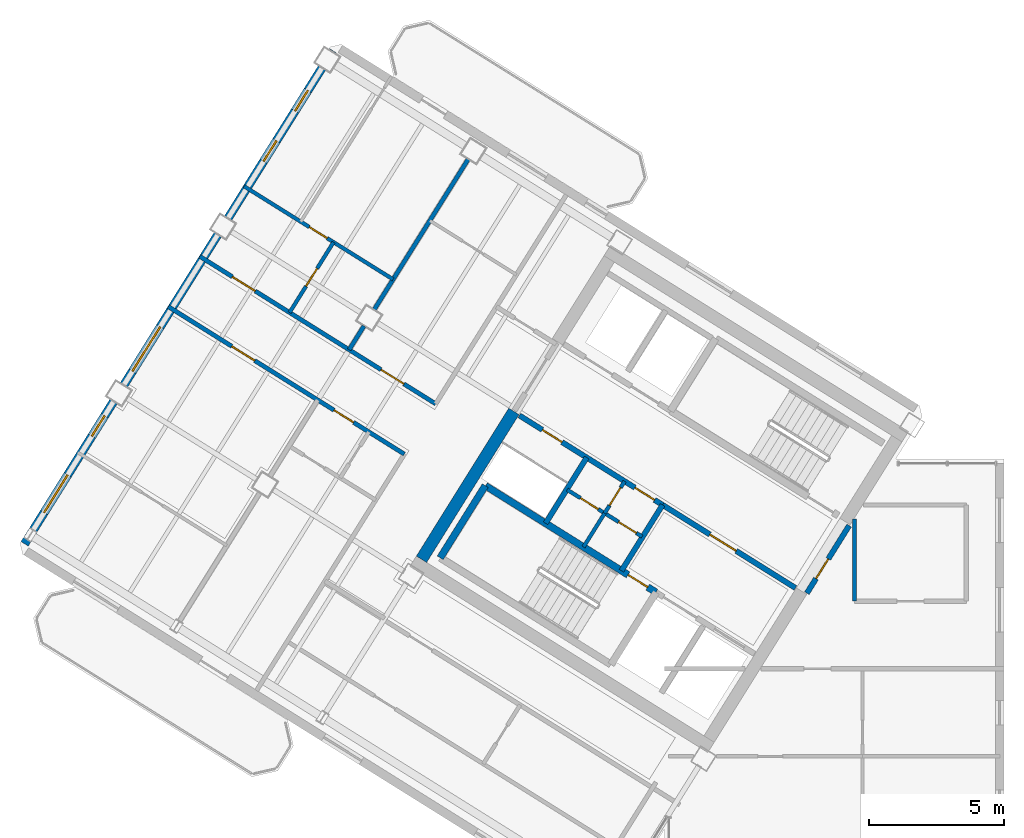
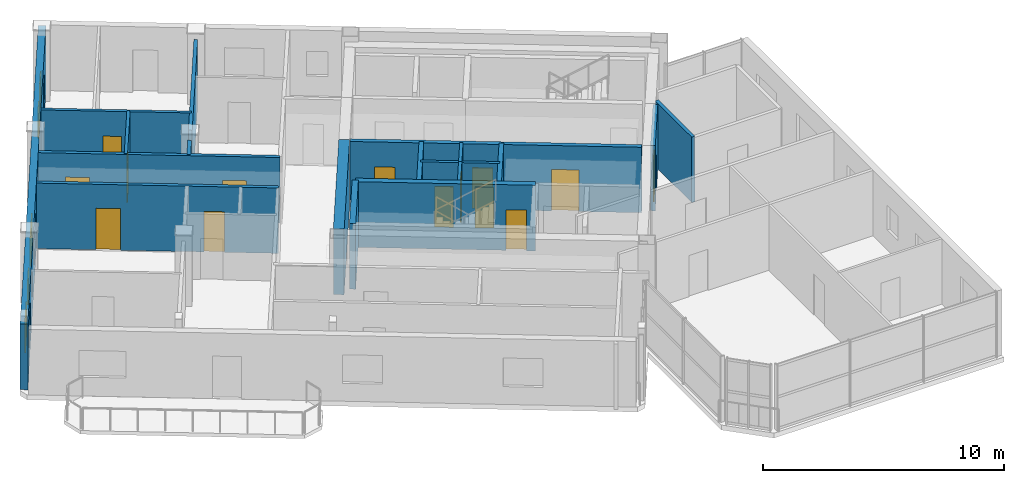
# One storey, part 8 of 13: 19 walls, 14 doors, 5 windows, 19 openings.
"""IFC4 building model written with IfcOpenShell, lengths in metres."""

from ifc_helpers import new_model, si_unit, direction, frame, frame_2d, origin, place, context, subcontext, project, spatial, rectangle, extrude, source, transform, mapped, material, layer, layer_set, type_object, element, fill, save


model = new_model("IFC4")

# Units and contexts
model_context = context("Model", 3, precision=1e-05, world=origin(), true_north=direction((0.0, 1.0)))
body_context = subcontext(model_context, "Body", "Model", "MODEL_VIEW")
ifc_project = project(units=[si_unit("LENGTHUNIT", "METRE"), si_unit("AREAUNIT", "SQUARE_METRE"), si_unit("VOLUMEUNIT", "CUBIC_METRE"), si_unit("PLANEANGLEUNIT", "RADIAN"), si_unit("MASSUNIT", "GRAM", prefix="KILO")], contexts=[model_context])

# Site, building, storey
site_placement = place(None, origin())
site = spatial("IfcSite", under=ifc_project, at=site_placement, CompositionType="ELEMENT")
building_placement = place(site_placement, origin())
building = spatial("IfcBuilding", under=site, at=building_placement, Name="Tlacorven Tower", CompositionType="ELEMENT")
storey_placement = place(building_placement, frame((0.0, 0.0, 295.199951171875)))
storey = spatial("IfcBuildingStorey", under=building, at=storey_placement, Name="L75", CompositionType="ELEMENT", Elevation=295.199951171875)

# Wall
ifc_material_1 = material(Name="Concrete C50/60", Category="concrete")
ifc_layer_1 = layer(ifc_material_1, 0.449951171875)
ifc_layer_set_1 = layer_set([ifc_layer_1], Name="Concrete C50/60")
wall_type_1 = type_object("IfcWallType", Name="WL-COR-450", PredefinedType="SHEAR", material=ifc_layer_set_1)
wall_1_placement = place(storey_placement, frame((26.006591796875, 24.975830078125, 0.0), z_axis=(0.0, 0.0, 1.0), x_axis=(-0.529931155655, -0.848040665456, 0.0)))
element("IfcWall", 1, at=wall_1_placement, inside=storey, type_object=wall_type_1, Name="L75 W core end wall E2.2", PredefinedType="SHEAR", context=body_context, shape_type="SweptSolid", body=[
    extrude(rectangle(XDim=6.47509765625, YDim=0.449951171875, at=frame_2d((3.237548828125, 0.0))), origin(), (0.0, 0.0, 1.0), 3.320068359375),
])

# Wall, openings, doors
ifc_material_2 = material(Name="Gypsum plasterboard acoustic partition", Category="gypsum")
ifc_layer_2 = layer(ifc_material_2, 0.159912109375)
ifc_layer_set_2 = layer_set([ifc_layer_2], Name="Gypsum plasterboard acoustic partition")
wall_type_2 = type_object("IfcWallType", Name="WL-DEM-160", PredefinedType="PARTITIONING", material=ifc_layer_set_2)
wall_2_placement = place(storey_placement, frame((23.104248046875, 25.25634765625, 0.0), z_axis=(0.0, 0.0, 1.0), x_axis=(-0.848043444964, 0.529926707624, 0.0)))
wall_2 = element("IfcWall", 2, at=wall_2_placement, inside=storey, type_object=wall_type_2, Name="L75 Wing W Corridor South Wall", PredefinedType="PARTITIONING", context=body_context, shape_type="SweptSolid", body=[
    extrude(rectangle(XDim=10.330078125, YDim=0.159912109375, at=frame_2d((5.1650390625, 0.0))), origin(), (0.0, 0.0, 1.0), 3.31005859375),
])
opening_1_placement = place(wall_2_placement, frame((1.39501953125, 0.0, 0.0)))
opening_1 = element("IfcOpeningElement", 3, at=opening_1_placement, cuts=wall_2, Name="Opening D11", PredefinedType="OPENING", context=body_context, shape_type="SweptSolid", body=[
    extrude(rectangle(XDim=1.0, YDim=2.10009765625, at=frame_2d((0.5, 1.050048828125))), frame((0.0, 0.08984375, 0.0), z_axis=(0.0, -1.0, 0.0), x_axis=(1.0, 0.0, 0.0)), (0.0, 0.0, 1.0), 0.179931640625),
])
opening_2_placement = place(wall_2_placement, frame((7.904052734375, 0.0, 0.0)))
opening_2 = element("IfcOpeningElement", 4, at=opening_2_placement, cuts=wall_2, Name="Opening D11", PredefinedType="OPENING", context=body_context, shape_type="SweptSolid", body=[
    extrude(rectangle(XDim=1.0, YDim=2.10009765625, at=frame_2d((0.5, 1.050048828125))), frame((0.0, 0.08984375, 0.0), z_axis=(0.0, -1.0, 0.0), x_axis=(1.0, 0.0, 0.0)), (0.0, 0.0, 1.0), 0.179931640625),
])
ifc_material_3 = material(Name="Fire-rated steel door assembly", Category="steel")
door_type_1 = type_object("IfcDoorType", Name="DR-FLT-FD60-1000", OperationType="NOTDEFINED", PredefinedType="DOOR", material=ifc_material_3)
shared_shape_1 = source(origin(), body_context, "Body", "SweptSolid", [
    extrude(rectangle(XDim=1.0, YDim=2.10009765625, at=frame_2d((0.5, 1.050048828125))), frame((0.0, 0.02490234375, 0.0), z_axis=(0.0, -1.0, 0.0), x_axis=(1.0, 0.0, 0.0)), (0.0, 0.0, 1.0), 0.050048828125),
])
door_1_placement = place(opening_1_placement, origin())
door_1 = element("IfcDoor", 5, at=door_1_placement, inside=storey, type_object=door_type_1, Name="L75 door 020", OperationType="SINGLE_SWING_LEFT", OverallHeight=2.10009765625, OverallWidth=1.0, PredefinedType="DOOR", context=body_context, shape_type="MappedRepresentation", body=[
    mapped(shared_shape_1, transform((0.0, 0.0, 0.0), scale=1.0)),
])
fill(opening_1, door_1)
door_2_placement = place(opening_2_placement, origin())
door_2 = element("IfcDoor", 6, at=door_2_placement, inside=storey, type_object=door_type_1, Name="L75 door 023", OperationType="SINGLE_SWING_RIGHT", OverallHeight=2.10009765625, OverallWidth=1.0, PredefinedType="DOOR", context=body_context, shape_type="MappedRepresentation", body=[
    mapped(shared_shape_1, transform((0.0, 0.0, 0.0), scale=1.0)),
])
fill(opening_2, door_2)

wall_3_placement = place(storey_placement, frame((21.9384765625, 23.390625, 0.0), z_axis=(0.0, 0.0, 1.0), x_axis=(-0.848050081784, 0.529916086552, 0.0)))
wall_3 = element("IfcWall", 7, at=wall_3_placement, inside=storey, type_object=wall_type_2, Name="L75 Wing W Corridor North Wall", PredefinedType="PARTITIONING", context=body_context, shape_type="SweptSolid", body=[
    extrude(rectangle(XDim=10.330078125, YDim=0.159912109375, at=frame_2d((5.1650390625, 0.0))), origin(), (0.0, 0.0, 1.0), 3.31005859375),
])
opening_3_placement = place(wall_3_placement, frame((2.219970703125, 0.0, 0.0)))
opening_3 = element("IfcOpeningElement", 8, at=opening_3_placement, cuts=wall_3, Name="Opening D19", PredefinedType="OPENING", context=body_context, shape_type="SweptSolid", body=[
    extrude(rectangle(XDim=0.860107421875, YDim=2.050048828125, at=frame_2d((0.43017578125, 1.02490234375))), frame((0.0, 0.08984375, 0.0), z_axis=(0.0, -1.0, 0.0), x_axis=(1.0, 0.0, 0.0)), (0.0, 0.0, 1.0), 0.179931640625),
])
opening_4_placement = place(wall_3_placement, frame((6.550048828125, 0.0, 0.0)))
opening_4 = element("IfcOpeningElement", 9, at=opening_4_placement, cuts=wall_3, Name="Opening D11", PredefinedType="OPENING", context=body_context, shape_type="SweptSolid", body=[
    extrude(rectangle(XDim=1.0, YDim=2.10009765625, at=frame_2d((0.5, 1.050048828125))), frame((0.0, 0.08984375, 0.0), z_axis=(0.0, -1.0, 0.0), x_axis=(1.0, 0.0, 0.0)), (0.0, 0.0, 1.0), 0.179931640625),
])
door_type_2 = type_object("IfcDoorType", Name="DR-RSR-FD60-0860", OperationType="NOTDEFINED", PredefinedType="DOOR", material=ifc_material_3)
shared_shape_2 = source(origin(), body_context, "Body", "SweptSolid", [
    extrude(rectangle(XDim=0.860107421875, YDim=2.050048828125, at=frame_2d((0.43017578125, 1.02490234375))), frame((0.0, 0.02490234375, 0.0), z_axis=(0.0, -1.0, 0.0), x_axis=(1.0, 0.0, 0.0)), (0.0, 0.0, 1.0), 0.050048828125),
])
door_3_placement = place(opening_3_placement, origin())
door_3 = element("IfcDoor", 10, at=door_3_placement, inside=storey, type_object=door_type_2, Name="L75 door 015", OperationType="SINGLE_SWING_RIGHT", OverallHeight=2.050048828125, OverallWidth=0.860107421875, PredefinedType="DOOR", context=body_context, shape_type="MappedRepresentation", body=[
    mapped(shared_shape_2, transform((0.0, 0.0, 0.0), scale=1.0)),
])
fill(opening_3, door_3)
door_4_placement = place(opening_4_placement, origin())
door_4 = element("IfcDoor", 11, at=door_4_placement, inside=storey, type_object=door_type_1, Name="L75 door 018", OperationType="SINGLE_SWING_LEFT", OverallHeight=2.10009765625, OverallWidth=1.0, PredefinedType="DOOR", context=body_context, shape_type="MappedRepresentation", body=[
    mapped(shared_shape_1, transform((0.0, 0.0, 0.0), scale=1.0)),
])
fill(opening_4, door_4)

# Walls
wall_4_placement = place(storey_placement, frame((24.30859375, 34.3359375, 0.0), z_axis=(0.0, 0.0, 1.0), x_axis=(-0.529895484599, -0.848062954858, 0.0)))
element("IfcWall", 12, at=wall_4_placement, inside=storey, type_object=wall_type_2, Name="L75 WS Demising Wall 1", PredefinedType="PARTITIONING", context=body_context, shape_type="SweptSolid", body=[
    extrude(rectangle(XDim=6.576171875, YDim=0.159912109375, at=frame_2d((3.2880859375, 0.0))), origin(), (0.0, 0.0, 1.0), 3.31005859375),
])
wall_5_placement = place(storey_placement, frame((20.440185546875, 28.14501953125, 0.0), z_axis=(0.0, 0.0, 1.0), x_axis=(-0.529977795385, -0.848011519025, 0.0)))
element("IfcWall", 13, at=wall_5_placement, inside=storey, type_object=wall_type_2, Name="L75 WS Demising Wall 1", PredefinedType="PARTITIONING", context=body_context, shape_type="SweptSolid", body=[
    extrude(rectangle(XDim=1.037841796875, YDim=0.159912109375, at=frame_2d((0.51904296875, 0.0))), origin(), (0.0, 0.0, 1.0), 3.31005859375),
])
wall_6_placement = place(storey_placement, frame((38.64990234375, 17.929931640625, 0.0), z_axis=(0.0, 0.0, 1.0), x_axis=(0.0, 1.0, 0.0)))
element("IfcWall", 14, at=wall_6_placement, inside=storey, type_object=wall_type_2, Name="L75 partition 45", PredefinedType="PARTITIONING", context=body_context, shape_type="SweptSolid", body=[
    extrude(rectangle(XDim=3.045654296875, YDim=0.159912109375, at=frame_2d((1.52294921875, 0.0))), origin(), (0.0, 0.0, 1.0), 3.31005859375),
])

# Wall, openings, windows
ifc_material_4 = material(Name="Precast concrete C45/55", Category="concrete")
ifc_layer_3 = layer(ifc_material_4, 0.320068359375)
ifc_layer_set_3 = layer_set([ifc_layer_3], Name="Precast concrete C45/55")
wall_type_3 = type_object("IfcWallType", Name="WL-EXT-320", PredefinedType="STANDARD", material=ifc_layer_set_3)
wall_7_placement = place(storey_placement, frame((7.842041015625, 20.06103515625, 0.0), z_axis=(0.0, 0.0, 1.0), x_axis=(0.529915577903, 0.84805039962, 0.0)))
wall_7 = element("IfcWall", 15, at=wall_7_placement, inside=storey, type_object=wall_type_3, Name="L75 Masonry-Frame Recessed Facade Wall 3", PredefinedType="STANDARD", context=body_context, shape_type="SweptSolid", body=[
    extrude(rectangle(XDim=21.58740234375, YDim=0.320068359375, at=frame_2d((10.793701171875, 0.0))), origin(), (0.0, 0.0, 1.0), 3.320068359375),
])
opening_5_placement = place(wall_7_placement, frame((1.36767578125, 0.0, 0.89990234375)))
opening_5 = element("IfcOpeningElement", 16, at=opening_5_placement, cuts=wall_7, Name="Opening WN07", PredefinedType="OPENING", context=body_context, shape_type="SweptSolid", body=[
    extrude(rectangle(XDim=1.64990234375, YDim=1.449951171875, at=frame_2d((0.824951171875, 0.72509765625))), frame((0.0, 0.169921875, 0.0), z_axis=(0.0, -1.0, 0.0), x_axis=(1.0, 0.0, 0.0)), (0.0, 0.0, 1.0), 0.340087890625),
])
opening_6_placement = place(wall_7_placement, frame((4.710205078125, 0.0, 1.0)))
opening_6 = element("IfcOpeningElement", 17, at=opening_6_placement, cuts=wall_7, Name="Opening WN05", PredefinedType="OPENING", context=body_context, shape_type="SweptSolid", body=[
    extrude(rectangle(XDim=0.89990234375, YDim=1.25, at=frame_2d((0.449951171875, 0.625))), frame((0.0, 0.169921875, 0.0), z_axis=(0.0, -1.0, 0.0), x_axis=(1.0, 0.0, 0.0)), (0.0, 0.0, 1.0), 0.340087890625),
])
opening_7_placement = place(wall_7_placement, frame((7.5537109375, 0.0, 0.949951171875)))
opening_7 = element("IfcOpeningElement", 18, at=opening_7_placement, cuts=wall_7, Name="Opening WN09", PredefinedType="OPENING", context=body_context, shape_type="SweptSolid", body=[
    extrude(rectangle(XDim=1.949951171875, YDim=1.35009765625, at=frame_2d((0.97509765625, 0.675048828125))), frame((0.0, 0.169921875, 0.0), z_axis=(0.0, -1.0, 0.0), x_axis=(1.0, 0.0, 0.0)), (0.0, 0.0, 1.0), 0.340087890625),
])
opening_8_placement = place(wall_7_placement, frame((16.74365234375, 0.0, 1.0)))
opening_8 = element("IfcOpeningElement", 19, at=opening_8_placement, cuts=wall_7, Name="Opening WN05", PredefinedType="OPENING", context=body_context, shape_type="SweptSolid", body=[
    extrude(rectangle(XDim=0.89990234375, YDim=1.25, at=frame_2d((0.449951171875, 0.625))), frame((0.0, 0.169921875, 0.0), z_axis=(0.0, -1.0, 0.0), x_axis=(1.0, 0.0, 0.0)), (0.0, 0.0, 1.0), 0.340087890625),
])
opening_9_placement = place(wall_7_placement, frame((18.943603515625, 0.0, 1.0)))
opening_9 = element("IfcOpeningElement", 20, at=opening_9_placement, cuts=wall_7, Name="Opening WN05", PredefinedType="OPENING", context=body_context, shape_type="SweptSolid", body=[
    extrude(rectangle(XDim=0.89990234375, YDim=1.25, at=frame_2d((0.449951171875, 0.625))), frame((0.0, 0.169921875, 0.0), z_axis=(0.0, -1.0, 0.0), x_axis=(1.0, 0.0, 0.0)), (0.0, 0.0, 1.0), 0.340087890625),
])
ifc_material_5 = material(Name="Dark solar low-E double glazing in anodised aluminium frame", Category="aluminium")
window_type_1 = type_object("IfcWindowType", Name="WN-APT-0900X1350", PartitioningType="SINGLE_PANEL", PredefinedType="WINDOW", material=ifc_material_5)
shared_shape_3 = source(origin(), body_context, "Body", "SweptSolid", [
    extrude(rectangle(XDim=0.89990234375, YDim=1.25, at=frame_2d((0.449951171875, 0.625))), frame((0.0, 0.030029296875, 0.0), z_axis=(0.0, -1.0, 0.0), x_axis=(1.0, 0.0, 0.0)), (0.0, 0.0, 1.0), 0.06005859375),
])
window_1_placement = place(opening_6_placement, origin())
window_1 = element("IfcWindow", 21, at=window_1_placement, inside=storey, type_object=window_type_1, Name="L75 Recessed Masonry-Frame Window L75-03.2", OverallHeight=1.25, OverallWidth=0.89990234375, PartitioningType="SINGLE_PANEL", PredefinedType="WINDOW", context=body_context, shape_type="MappedRepresentation", body=[
    mapped(shared_shape_3, transform((0.0, 0.0, 0.0), scale=1.0)),
])
fill(opening_6, window_1)
window_2_placement = place(opening_8_placement, origin())
window_2 = element("IfcWindow", 22, at=window_2_placement, inside=storey, type_object=window_type_1, Name="L75 Recessed Masonry-Frame Window L75-03.4", OverallHeight=1.25, OverallWidth=0.89990234375, PartitioningType="SINGLE_PANEL", PredefinedType="WINDOW", context=body_context, shape_type="MappedRepresentation", body=[
    mapped(shared_shape_3, transform((0.0, 0.0, 0.0), scale=1.0)),
])
fill(opening_8, window_2)
window_3_placement = place(opening_9_placement, origin())
window_3 = element("IfcWindow", 23, at=window_3_placement, inside=storey, type_object=window_type_1, Name="L75 Recessed Masonry-Frame Window L75-03.5", OverallHeight=1.25, OverallWidth=0.89990234375, PartitioningType="SINGLE_PANEL", PredefinedType="WINDOW", context=body_context, shape_type="MappedRepresentation", body=[
    mapped(shared_shape_3, transform((0.0, 0.0, 0.0), scale=1.0)),
])
fill(opening_9, window_3)
window_type_2 = type_object("IfcWindowType", Name="WN-APT-1650X1600", PartitioningType="SINGLE_PANEL", PredefinedType="WINDOW", material=ifc_material_5)
shared_shape_4 = source(origin(), body_context, "Body", "SweptSolid", [
    extrude(rectangle(XDim=1.64990234375, YDim=1.449951171875, at=frame_2d((0.824951171875, 0.72509765625))), frame((0.0, 0.030029296875, 0.0), z_axis=(0.0, -1.0, 0.0), x_axis=(1.0, 0.0, 0.0)), (0.0, 0.0, 1.0), 0.06005859375),
])
window_4_placement = place(opening_5_placement, origin())
window_4 = element("IfcWindow", 24, at=window_4_placement, inside=storey, type_object=window_type_2, Name="L75 Recessed Masonry-Frame Window L75-03.1", OverallHeight=1.449951171875, OverallWidth=1.64990234375, PartitioningType="SINGLE_PANEL", PredefinedType="WINDOW", context=body_context, shape_type="MappedRepresentation", body=[
    mapped(shared_shape_4, transform((0.0, 0.0, 0.0), scale=1.0)),
])
fill(opening_5, window_4)
window_type_3 = type_object("IfcWindowType", Name="WN-GAL-1950X1450", PartitioningType="SINGLE_PANEL", PredefinedType="WINDOW", material=ifc_material_5)
shared_shape_5 = source(origin(), body_context, "Body", "SweptSolid", [
    extrude(rectangle(XDim=1.949951171875, YDim=1.35009765625, at=frame_2d((0.97509765625, 0.675048828125))), frame((0.0, 0.030029296875, 0.0), z_axis=(0.0, -1.0, 0.0), x_axis=(1.0, 0.0, 0.0)), (0.0, 0.0, 1.0), 0.06005859375),
])
window_5_placement = place(opening_7_placement, origin())
window_5 = element("IfcWindow", 25, at=window_5_placement, inside=storey, type_object=window_type_3, Name="L75 Recessed Masonry-Frame Window L75-03.3", OverallHeight=1.35009765625, OverallWidth=1.949951171875, PartitioningType="SINGLE_PANEL", PredefinedType="WINDOW", context=body_context, shape_type="MappedRepresentation", body=[
    mapped(shared_shape_5, transform((0.0, 0.0, 0.0), scale=1.0)),
])
fill(opening_7, window_5)

# Wall, opening, door
ifc_material_6 = material(Name="Moisture-resistant gypsum plumbing wall", Category="gypsum")
ifc_layer_4 = layer(ifc_material_6, 0.139892578125)
ifc_layer_set_4 = layer_set([ifc_layer_4], Name="Moisture-resistant gypsum plumbing wall")
wall_type_4 = type_object("IfcWallType", Name="WL-PLM-140", PredefinedType="PLUMBINGWALL", material=ifc_layer_set_4)
wall_8_placement = place(storey_placement, frame((30.117431640625, 22.383544921875, 0.0), z_axis=(0.0, 0.0, 1.0), x_axis=(-0.529951914384, -0.848027693204, 0.0)))
wall_8 = element("IfcWall", 26, at=wall_8_placement, inside=storey, type_object=wall_type_4, Name="L75 partition 18", PredefinedType="PLUMBINGWALL", context=body_context, shape_type="SweptSolid", body=[
    extrude(rectangle(XDim=1.39990234375, YDim=0.139892578125, at=frame_2d((0.699951171875, 0.0))), origin(), (0.0, 0.0, 1.0), 3.31005859375),
])
opening_10_placement = place(wall_8_placement, frame((0.280029296875, 0.0, 0.0)))
opening_10 = element("IfcOpeningElement", 27, at=opening_10_placement, cuts=wall_8, Name="Opening D22", PredefinedType="OPENING", context=body_context, shape_type="SweptSolid", body=[
    extrude(rectangle(XDim=0.780029296875, YDim=2.050048828125, at=frame_2d((0.39013671875, 1.02490234375))), frame((0.0, 0.080078125, 0.0), z_axis=(0.0, -1.0, 0.0), x_axis=(1.0, 0.0, 0.0)), (0.0, 0.0, 1.0), 0.159912109375),
])
ifc_material_7 = material(Name="Powder-coated aluminium and timber door", Category="wood")
door_type_3 = type_object("IfcDoorType", Name="DR-INT-WET-0780", OperationType="NOTDEFINED", PredefinedType="DOOR", material=ifc_material_7)
shared_shape_6 = source(origin(), body_context, "Body", "SweptSolid", [
    extrude(rectangle(XDim=0.780029296875, YDim=2.050048828125, at=frame_2d((0.39013671875, 1.02490234375))), frame((0.0, 0.02490234375, 0.0), z_axis=(0.0, -1.0, 0.0), x_axis=(1.0, 0.0, 0.0)), (0.0, 0.0, 1.0), 0.050048828125),
])
door_5_placement = place(opening_10_placement, origin())
door_5 = element("IfcDoor", 28, at=door_5_placement, inside=storey, type_object=door_type_3, Name="L75 door 010", OperationType="SINGLE_SWING_RIGHT", OverallHeight=2.050048828125, OverallWidth=0.780029296875, PredefinedType="DOOR", context=body_context, shape_type="MappedRepresentation", body=[
    mapped(shared_shape_6, transform((0.0, 0.0, 0.0), scale=1.0)),
])
fill(opening_10, door_5)

# Wall
wall_9_placement = place(storey_placement, frame((29.37548828125, 21.1962890625, 0.0), z_axis=(0.0, 0.0, 1.0), x_axis=(-0.529865479138, -0.848081702443, 0.0)))
element("IfcWall", 29, at=wall_9_placement, inside=storey, type_object=wall_type_4, Name="L75 partition 19", PredefinedType="PLUMBINGWALL", context=body_context, shape_type="SweptSolid", body=[
    extrude(rectangle(XDim=1.47998046875, YDim=0.139892578125, at=frame_2d((0.739990234375, 0.0))), origin(), (0.0, 0.0, 1.0), 3.31005859375),
])

# Wall, openings, doors
wall_10_placement = place(storey_placement, frame((30.766357421875, 20.3271484375, 0.0), z_axis=(0.0, 0.0, 1.0), x_axis=(-0.848052663127, 0.529911955482, 0.0)))
wall_10 = element("IfcWall", 30, at=wall_10_placement, inside=storey, type_object=wall_type_4, Name="L75 partition 20", PredefinedType="PLUMBINGWALL", context=body_context, shape_type="SweptSolid", body=[
    extrude(rectangle(XDim=3.27978515625, YDim=0.139892578125, at=frame_2d((1.639892578125, 0.0))), origin(), (0.0, 0.0, 1.0), 3.31005859375),
])
opening_11_placement = place(wall_10_placement, frame((0.25, 0.0, 0.0)))
opening_11 = element("IfcOpeningElement", 31, at=opening_11_placement, cuts=wall_10, Name="Opening D22", PredefinedType="OPENING", context=body_context, shape_type="SweptSolid", body=[
    extrude(rectangle(XDim=0.780029296875, YDim=2.050048828125, at=frame_2d((0.39013671875, 1.02490234375))), frame((0.0, 0.080078125, 0.0), z_axis=(0.0, -1.0, 0.0), x_axis=(1.0, 0.0, 0.0)), (0.0, 0.0, 1.0), 0.159912109375),
])
opening_12_placement = place(wall_10_placement, frame((1.919921875, 0.0, 0.0)))
opening_12 = element("IfcOpeningElement", 32, at=opening_12_placement, cuts=wall_10, Name="Opening D22", PredefinedType="OPENING", context=body_context, shape_type="SweptSolid", body=[
    extrude(rectangle(XDim=0.780029296875, YDim=2.050048828125, at=frame_2d((0.39013671875, 1.02490234375))), frame((0.0, 0.080078125, 0.0), z_axis=(0.0, -1.0, 0.0), x_axis=(1.0, 0.0, 0.0)), (0.0, 0.0, 1.0), 0.159912109375),
])
door_6_placement = place(opening_11_placement, origin())
door_6 = element("IfcDoor", 33, at=door_6_placement, inside=storey, type_object=door_type_3, Name="L75 door 011", OperationType="SINGLE_SWING_LEFT", OverallHeight=2.050048828125, OverallWidth=0.780029296875, PredefinedType="DOOR", context=body_context, shape_type="MappedRepresentation", body=[
    mapped(shared_shape_6, transform((0.0, 0.0, 0.0), scale=1.0)),
])
fill(opening_11, door_6)
door_7_placement = place(opening_12_placement, origin())
door_7 = element("IfcDoor", 34, at=door_7_placement, inside=storey, type_object=door_type_3, Name="L75 door 012", OperationType="SINGLE_SWING_RIGHT", OverallHeight=2.050048828125, OverallWidth=0.780029296875, PredefinedType="DOOR", context=body_context, shape_type="MappedRepresentation", body=[
    mapped(shared_shape_6, transform((0.0, 0.0, 0.0), scale=1.0)),
])
fill(opening_12, door_7)

# Wall, opening, door
wall_11_placement = place(storey_placement, frame((21.522216796875, 29.876708984375, 0.0), z_axis=(0.0, 0.0, 1.0), x_axis=(-0.848048787466, 0.529918157905, 0.0)))
wall_11 = element("IfcWall", 35, at=wall_11_placement, inside=storey, type_object=wall_type_4, Name="L75 partition 35", PredefinedType="PLUMBINGWALL", context=body_context, shape_type="SweptSolid", body=[
    extrude(rectangle(XDim=6.52001953125, YDim=0.139892578125, at=frame_2d((3.260009765625, 0.0))), origin(), (0.0, 0.0, 1.0), 3.31005859375),
])
opening_13_placement = place(wall_11_placement, frame((2.885009765625, 0.0, 0.0)))
opening_13 = element("IfcOpeningElement", 36, at=opening_13_placement, cuts=wall_11, Name="Opening D22", PredefinedType="OPENING", context=body_context, shape_type="SweptSolid", body=[
    extrude(rectangle(XDim=0.780029296875, YDim=2.050048828125, at=frame_2d((0.39013671875, 1.02490234375))), frame((0.0, 0.080078125, 0.0), z_axis=(0.0, -1.0, 0.0), x_axis=(1.0, 0.0, 0.0)), (0.0, 0.0, 1.0), 0.159912109375),
])
door_8_placement = place(opening_13_placement, origin())
door_8 = element("IfcDoor", 37, at=door_8_placement, inside=storey, type_object=door_type_3, Name="L75 door 024", OperationType="SINGLE_SWING_LEFT", OverallHeight=2.050048828125, OverallWidth=0.780029296875, PredefinedType="DOOR", context=body_context, shape_type="MappedRepresentation", body=[
    mapped(shared_shape_6, transform((0.0, 0.0, 0.0), scale=1.0)),
])
fill(opening_13, door_8)

wall_12_placement = place(storey_placement, frame((19.310546875, 31.2587890625, 0.0), z_axis=(0.0, 0.0, 1.0), x_axis=(-0.52989206052, -0.848065094316, 0.0)))
wall_12 = element("IfcWall", 38, at=wall_12_placement, inside=storey, type_object=wall_type_4, Name="L75 partition 36", PredefinedType="PLUMBINGWALL", context=body_context, shape_type="SweptSolid", body=[
    extrude(rectangle(XDim=3.080078125, YDim=0.139892578125, at=frame_2d((1.5400390625, 0.0))), origin(), (0.0, 0.0, 1.0), 3.31005859375),
])
opening_14_placement = place(wall_12_placement, frame((1.14990234375, 0.0, 0.0)))
opening_14 = element("IfcOpeningElement", 39, at=opening_14_placement, cuts=wall_12, Name="Opening D22", PredefinedType="OPENING", context=body_context, shape_type="SweptSolid", body=[
    extrude(rectangle(XDim=0.780029296875, YDim=2.050048828125, at=frame_2d((0.39013671875, 1.02490234375))), frame((0.0, 0.080078125, 0.0), z_axis=(0.0, -1.0, 0.0), x_axis=(1.0, 0.0, 0.0)), (0.0, 0.0, 1.0), 0.159912109375),
])
door_9_placement = place(opening_14_placement, origin())
door_9 = element("IfcDoor", 40, at=door_9_placement, inside=storey, type_object=door_type_3, Name="L75 door 025", OperationType="SINGLE_SWING_RIGHT", OverallHeight=2.050048828125, OverallWidth=0.780029296875, PredefinedType="DOOR", context=body_context, shape_type="MappedRepresentation", body=[
    mapped(shared_shape_6, transform((0.0, 0.0, 0.0), scale=1.0)),
])
fill(opening_14, door_9)

ifc_material_8 = material(Name="Concrete C40/50", Category="concrete")
ifc_layer_5 = layer(ifc_material_8, 0.199951171875)
ifc_layer_set_5 = layer_set([ifc_layer_5], Name="Concrete C40/50")
wall_type_5 = type_object("IfcWallType", Name="WL-SHF-200", PredefinedType="STANDARD", material=ifc_layer_set_5)
wall_13_placement = place(storey_placement, frame((36.459228515625, 18.420654296875, 0.0), z_axis=(0.0, 0.0, 1.0), x_axis=(-0.848059591691, 0.529900867089, 0.0)))
wall_13 = element("IfcWall", 41, at=wall_13_placement, inside=storey, type_object=wall_type_5, Name="L75 Core W Smoke Lobby Wall", PredefinedType="STANDARD", context=body_context, shape_type="SweptSolid", body=[
    extrude(rectangle(XDim=5.818115234375, YDim=0.199951171875, at=frame_2d((2.9091796875, 0.0))), origin(), (0.0, 0.0, 1.0), 3.31005859375),
])
opening_15_placement = place(wall_13_placement, frame((2.597900390625, 0.0, 0.0)))
opening_15 = element("IfcOpeningElement", 42, at=opening_15_placement, cuts=wall_13, Name="Opening D09", PredefinedType="OPENING", context=body_context, shape_type="SweptSolid", body=[
    extrude(rectangle(XDim=1.14990234375, YDim=2.10009765625, at=frame_2d((0.574951171875, 1.050048828125))), frame((0.0, 0.10986328125, 0.0), z_axis=(0.0, -1.0, 0.0), x_axis=(1.0, 0.0, 0.0)), (0.0, 0.0, 1.0), 0.219970703125),
])
door_type_4 = type_object("IfcDoorType", Name="DR-FFL-FD60-1150", OperationType="NOTDEFINED", PredefinedType="DOOR", material=ifc_material_3)
shared_shape_7 = source(origin(), body_context, "Body", "SweptSolid", [
    extrude(rectangle(XDim=1.14990234375, YDim=2.10009765625, at=frame_2d((0.574951171875, 1.050048828125))), frame((0.0, 0.02490234375, 0.0), z_axis=(0.0, -1.0, 0.0), x_axis=(1.0, 0.0, 0.0)), (0.0, 0.0, 1.0), 0.050048828125),
])
door_10_placement = place(opening_15_placement, origin())
door_10 = element("IfcDoor", 43, at=door_10_placement, inside=storey, type_object=door_type_4, Name="L75 Firefighting Lobby W Fire Door", OperationType="SINGLE_SWING_LEFT", OverallHeight=2.10009765625, OverallWidth=1.14990234375, PredefinedType="DOOR", context=body_context, shape_type="MappedRepresentation", body=[
    mapped(shared_shape_7, transform((0.0, 0.0, 0.0), scale=1.0)),
])
fill(opening_15, door_10)

# Walls
for number, where, z_axis, x_axis, name in (
    (44, (31.525146484375, 21.503662109375, 0.0), (0.0, 0.0, 1.0), (-0.529907497854, -0.848055448493, 0.0), "L75 partition 15"),
    (45, (28.709716796875, 23.26318359375, 0.0), (0.0, 0.0, 1.0), (-0.529907497854, -0.848055448493, 0.0), "L75 partition 16"),
):
    element("IfcWall", number, at=place(storey_placement, frame(where, z_axis=z_axis, x_axis=x_axis)), inside=storey, type_object=wall_type_5, Name=name, PredefinedType="STANDARD", context=body_context, shape_type="SweptSolid", body=[
        extrude(rectangle(XDim=2.8798828125, YDim=0.199951171875, at=frame_2d((1.43994140625, 0.0))), origin(), (0.0, 0.0, 1.0), 3.31005859375),
    ])

# Wall, openings, doors
wall_14_placement = place(storey_placement, frame((31.525146484375, 21.503662109375, 0.0), z_axis=(0.0, 0.0, 1.0), x_axis=(-0.848042066329, 0.529928913853, 0.0)))
wall_14 = element("IfcWall", 46, at=wall_14_placement, inside=storey, type_object=wall_type_5, Name="L75 Core W North Service Wall", PredefinedType="STANDARD", context=body_context, shape_type="SweptSolid", body=[
    extrude(rectangle(XDim=6.267822265625, YDim=0.199951171875, at=frame_2d((3.1337890625, 0.0))), origin(), (0.0, 0.0, 1.0), 3.31005859375),
])
opening_16_placement = place(wall_14_placement, frame((4.39990234375, 0.0, 0.0)))
opening_16 = element("IfcOpeningElement", 47, at=opening_16_placement, cuts=wall_14, Name="Opening D19", PredefinedType="OPENING", context=body_context, shape_type="SweptSolid", body=[
    extrude(rectangle(XDim=0.860107421875, YDim=2.050048828125, at=frame_2d((0.43017578125, 1.02490234375))), frame((0.0, 0.10986328125, 0.0), z_axis=(0.0, -1.0, 0.0), x_axis=(1.0, 0.0, 0.0)), (0.0, 0.0, 1.0), 0.219970703125),
])
opening_17_placement = place(wall_14_placement, frame((0.35009765625, 0.0, 0.0)))
opening_17 = element("IfcOpeningElement", 48, at=opening_17_placement, cuts=wall_14, Name="Opening D19", PredefinedType="OPENING", context=body_context, shape_type="SweptSolid", body=[
    extrude(rectangle(XDim=0.860107421875, YDim=2.050048828125, at=frame_2d((0.43017578125, 1.02490234375))), frame((0.0, 0.10986328125, 0.0), z_axis=(0.0, -1.0, 0.0), x_axis=(1.0, 0.0, 0.0)), (0.0, 0.0, 1.0), 0.219970703125),
])
door_11_placement = place(opening_16_placement, frame((0.860107421875, 0.0, 0.0), z_axis=(0.0, 0.0, 1.0), x_axis=(-1.0, 0.0, 0.0)))
door_11 = element("IfcDoor", 49, at=door_11_placement, inside=storey, type_object=door_type_2, Name="L75 Electrical Riser Access Door W", OperationType="SINGLE_SWING_RIGHT", OverallHeight=2.050048828125, OverallWidth=0.860107421875, PredefinedType="DOOR", context=body_context, shape_type="MappedRepresentation", body=[
    mapped(shared_shape_2, transform((0.0, 0.0, 0.0), scale=1.0)),
])
fill(opening_16, door_11)
door_12_placement = place(opening_17_placement, frame((0.860107421875, 0.0, 0.0), z_axis=(0.0, 0.0, 1.0), x_axis=(-1.0, 0.0, 0.0)))
door_12 = element("IfcDoor", 50, at=door_12_placement, inside=storey, type_object=door_type_2, Name="L75 Cleaning Room Access Door W", OperationType="SINGLE_SWING_LEFT", OverallHeight=2.050048828125, OverallWidth=0.860107421875, PredefinedType="DOOR", context=body_context, shape_type="MappedRepresentation", body=[
    mapped(shared_shape_2, transform((0.0, 0.0, 0.0), scale=1.0)),
])
fill(opening_17, door_12)

# Wall, opening, door
wall_15_placement = place(storey_placement, frame((38.451416015625, 20.737060546875, 0.0), z_axis=(0.0, 0.0, 1.0), x_axis=(-0.529924799939, -0.848044637038, 0.0)))
wall_15 = element("IfcWall", 51, at=wall_15_placement, inside=storey, type_object=wall_type_5, Name="L75 partition 42", PredefinedType="STANDARD", context=body_context, shape_type="SweptSolid", body=[
    extrude(rectangle(XDim=2.9599609375, YDim=0.199951171875, at=frame_2d((1.47998046875, 0.0))), origin(), (0.0, 0.0, 1.0), 3.31005859375),
])
opening_18_placement = place(wall_15_placement, frame((1.4599609375, 0.0, 0.0)))
opening_18 = element("IfcOpeningElement", 52, at=opening_18_placement, cuts=wall_15, Name="Opening D19", PredefinedType="OPENING", context=body_context, shape_type="SweptSolid", body=[
    extrude(rectangle(XDim=0.860107421875, YDim=2.050048828125, at=frame_2d((0.43017578125, 1.02490234375))), frame((0.0, 0.10986328125, 0.0), z_axis=(0.0, -1.0, 0.0), x_axis=(1.0, 0.0, 0.0)), (0.0, 0.0, 1.0), 0.219970703125),
])
door_13_placement = place(opening_18_placement, frame((0.860107421875, 0.0, 0.0), z_axis=(0.0, 0.0, 1.0), x_axis=(-1.0, 0.0, 0.0)))
door_13 = element("IfcDoor", 53, at=door_13_placement, inside=storey, type_object=door_type_2, Name="L75 door 030", OperationType="SINGLE_SWING_LEFT", OverallHeight=2.050048828125, OverallWidth=0.860107421875, PredefinedType="DOOR", context=body_context, shape_type="MappedRepresentation", body=[
    mapped(shared_shape_2, transform((0.0, 0.0, 0.0), scale=1.0)),
])
fill(opening_18, door_13)

ifc_layer_6 = layer(ifc_material_1, 0.260009765625)
ifc_layer_set_6 = layer_set([ifc_layer_6], Name="Concrete C50/60")
wall_type_6 = type_object("IfcWallType", Name="WL-STW-260", PredefinedType="SHEAR", material=ifc_layer_set_6)
wall_16_placement = place(storey_placement, frame((31.279541015625, 18.26123046875, 0.0), z_axis=(0.0, 0.0, 1.0), x_axis=(-0.848051618787, 0.529913626805, 0.0)))
wall_16 = element("IfcWall", 54, at=wall_16_placement, inside=storey, type_object=wall_type_6, Name="L75 Stair W1 Lobby Shear Wall", PredefinedType="SHEAR", context=body_context, shape_type="SweptSolid", body=[
    extrude(rectangle(XDim=7.4599609375, YDim=0.260009765625, at=frame_2d((3.72998046875, 0.0))), origin(), (0.0, 0.0, 1.0), 3.320068359375),
])
opening_19_placement = place(wall_16_placement, frame((0.360107421875, 0.0, 0.0)))
opening_19 = element("IfcOpeningElement", 55, at=opening_19_placement, cuts=wall_16, Name="Opening D19", PredefinedType="OPENING", context=body_context, shape_type="SweptSolid", body=[
    extrude(rectangle(XDim=0.860107421875, YDim=2.050048828125, at=frame_2d((0.43017578125, 1.02490234375))), frame((0.0, 0.14013671875, 0.0), z_axis=(0.0, -1.0, 0.0), x_axis=(1.0, 0.0, 0.0)), (0.0, 0.0, 1.0), 0.280029296875),
])
door_14_placement = place(opening_19_placement, frame((0.860107421875, 0.0, 0.0), z_axis=(0.0, 0.0, 1.0), x_axis=(-1.0, 0.0, 0.0)))
door_14 = element("IfcDoor", 56, at=door_14_placement, inside=storey, type_object=door_type_2, Name="L75 Exit Stair W1 Fire Door", OperationType="SINGLE_SWING_LEFT", OverallHeight=2.050048828125, OverallWidth=0.860107421875, PredefinedType="DOOR", context=body_context, shape_type="MappedRepresentation", body=[
    mapped(shared_shape_2, transform((0.0, 0.0, 0.0), scale=1.0)),
])
fill(opening_19, door_14)

# Wall
wall_17_placement = place(storey_placement, frame((24.944580078125, 22.2197265625, 0.0), z_axis=(0.0, 0.0, 1.0), x_axis=(-0.529908658664, -0.84805472316, 0.0)))
element("IfcWall", 57, at=wall_17_placement, inside=storey, type_object=wall_type_6, Name="L75 Stair W1 East Shear Wall", PredefinedType="SHEAR", context=body_context, shape_type="SweptSolid", body=[
    extrude(rectangle(XDim=3.16015625, YDim=0.260009765625, at=frame_2d((1.580078125, 0.0))), origin(), (0.0, 0.0, 1.0), 3.320068359375),
])

save(model, "model.ifc")
